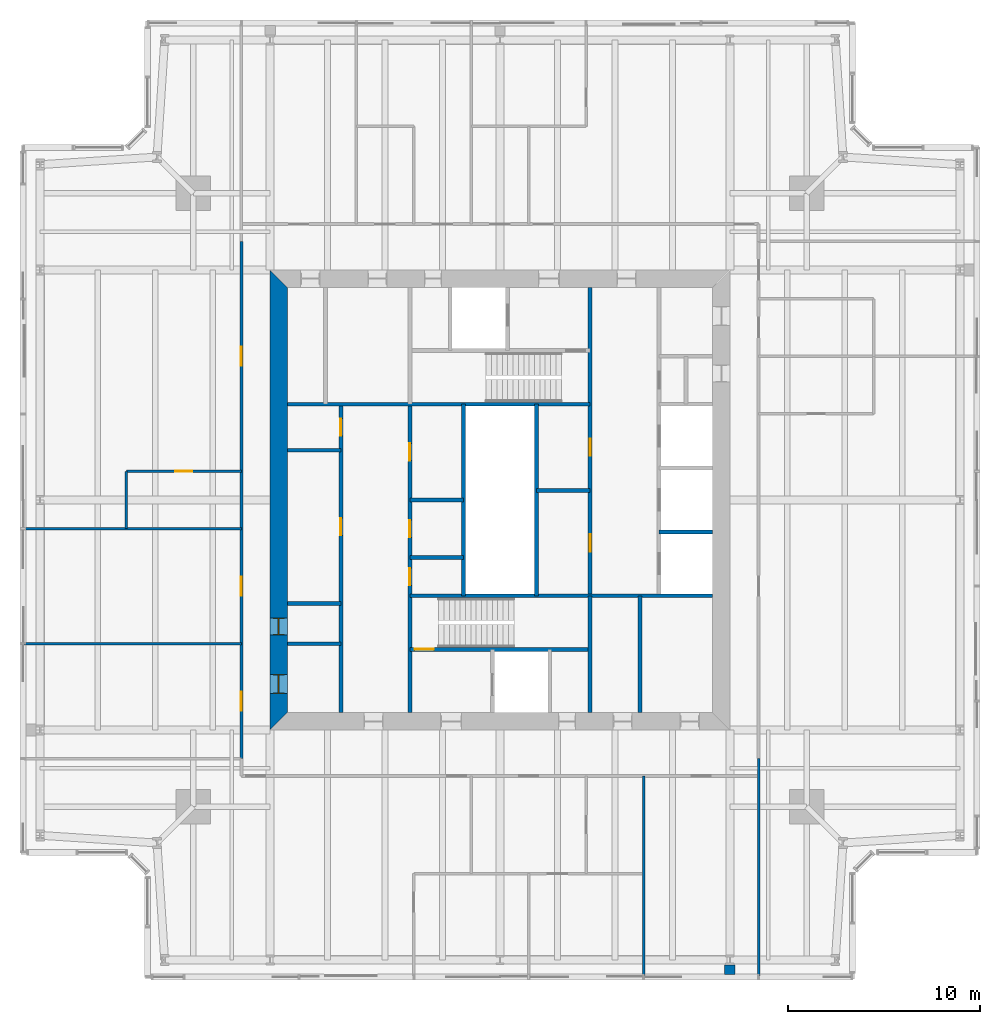
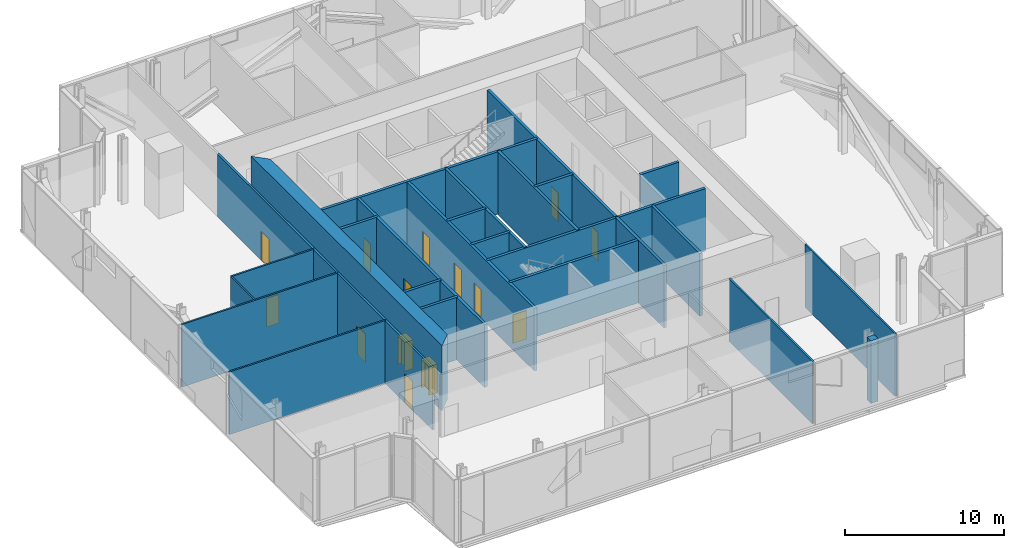
# One storey, part 8 of 15: 26 walls, 14 doors, 14 openings.
"""IFC4 building model written with IfcOpenShell, lengths in metres."""

from ifc_helpers import new_model, si_unit, direction, frame, frame_2d, origin, place, context, subcontext, project, spatial, polyline, rectangle, outline, extrude, material, layer, layer_set, type_object, element, fill, save


model = new_model("IFC4")

# Units and contexts
model_context = context("Model", 3, precision=1e-05, world=origin(), true_north=direction((0.0, 1.0)))
body_context = subcontext(model_context, "Body", "Model", "MODEL_VIEW")
ifc_project = project(units=[si_unit("LENGTHUNIT", "METRE"), si_unit("AREAUNIT", "SQUARE_METRE"), si_unit("VOLUMEUNIT", "CUBIC_METRE"), si_unit("PLANEANGLEUNIT", "RADIAN"), si_unit("MASSUNIT", "GRAM", prefix="KILO")], contexts=[model_context])

# Site, building, storey
site_placement = place(None, origin())
site = spatial("IfcSite", under=ifc_project, at=site_placement, CompositionType="ELEMENT")
building_placement = place(site_placement, origin())
building = spatial("IfcBuilding", under=site, at=building_placement, Name="Fenwick Lantern Interchange", CompositionType="ELEMENT")
storey_placement = place(building_placement, frame((0.0, 0.0, 296.800048828125)))
storey = spatial("IfcBuildingStorey", under=building, at=storey_placement, Name="L72", CompositionType="ELEMENT", Elevation=296.800048828125)

# Wall
ifc_material_1 = material(Name="Fire-rated gypsum board encasement on steel studs, 2 hour", Category="steel")
ifc_layer_1 = layer(ifc_material_1, 0.5419921875)
ifc_layer_set_1 = layer_set([ifc_layer_1], Name="COLUMN PIER 542")
wall_type_1 = type_object("IfcWallType", Name="COLUMN PIER 542", PredefinedType="PARTITIONING", material=ifc_layer_set_1)
wall_1_placement = place(storey_placement, frame((37.0, 0.25, 0.0), z_axis=(0.0, 0.0, 1.0), x_axis=(0.0, 1.0, 0.0)))
element("IfcWall", 1, at=wall_1_placement, inside=storey, type_object=wall_type_1, Name="L72/W/PIER/CS4", PredefinedType="PARTITIONING", context=body_context, shape_type="SweptSolid", body=[
    extrude(rectangle(XDim=0.484619140625, YDim=0.5419921875, at=frame_2d((0.2421875, 0.0))), origin(), (0.0, 0.0, 1.0), 4.800048828125),
])

# Wall, openings, doors
ifc_material_2 = material(Name="Concrete masonry ASTM C90 Grade N", Category="masonry")
ifc_layer_2 = layer(ifc_material_2, 0.199951171875)
ifc_layer_set_2 = layer_set([ifc_layer_2], Name="Concrete masonry ASTM C90 Grade N")
wall_type_2 = type_object("IfcWallType", Name="CORE PARTITION 200", PredefinedType="PARTITIONING", material=ifc_layer_set_2)
wall_2_placement = place(storey_placement, frame((16.699951171875, 13.89990234375, 0.0), z_axis=(0.0, 0.0, 1.0), x_axis=(0.0, 1.0, 0.0)))
wall_2 = element("IfcWall", 2, at=wall_2_placement, inside=storey, type_object=wall_type_2, Name="L72/W/CORES/a", PredefinedType="PARTITIONING", context=body_context, shape_type="SweptSolid", body=[
    extrude(rectangle(XDim=16.10009765625, YDim=0.199951171875, at=frame_2d((8.050048828125, 0.0))), origin(), (0.0, 0.0, 1.0), 4.800048828125),
])
opening_1_placement = place(wall_2_placement, frame((9.25, 0.0, 0.0)))
opening_1 = element("IfcOpeningElement", 3, at=opening_1_placement, cuts=wall_2, Name="Opening L72-D009", PredefinedType="OPENING", context=body_context, shape_type="SweptSolid", body=[
    extrude(rectangle(XDim=0.89990234375, YDim=2.199951171875, at=frame_2d((0.449951171875, 1.10009765625))), frame((0.0, 0.10986328125, 0.0), z_axis=(0.0, -1.0, 0.0), x_axis=(1.0, 0.0, 0.0)), (0.0, 0.0, 1.0), 0.219970703125),
])
opening_2_placement = place(wall_2_placement, frame((14.449951171875, 0.0, 0.0)))
opening_2 = element("IfcOpeningElement", 4, at=opening_2_placement, cuts=wall_2, Name="Opening L72-D010", PredefinedType="OPENING", context=body_context, shape_type="SweptSolid", body=[
    extrude(rectangle(XDim=0.89990234375, YDim=2.199951171875, at=frame_2d((0.449951171875, 1.10009765625))), frame((0.0, 0.10986328125, 0.0), z_axis=(0.0, -1.0, 0.0), x_axis=(1.0, 0.0, 0.0)), (0.0, 0.0, 1.0), 0.219970703125),
])
ifc_material_3 = material(Name="Steel door and frame", Category="steel")
door_type_1 = type_object("IfcDoorType", Name="SERVICE DOOR 900 X 2200", OperationType="SINGLE_SWING_LEFT", PredefinedType="DOOR", material=ifc_material_3)
door_1_placement = place(opening_1_placement, origin())
door_1 = element("IfcDoor", 5, at=door_1_placement, inside=storey, type_object=door_type_1, Name="Service door", OperationType="SINGLE_SWING_LEFT", OverallHeight=2.199951171875, OverallWidth=0.89990234375, PredefinedType="DOOR", context=body_context, shape_type="SweptSolid", body=[
    extrude(rectangle(XDim=0.89990234375, YDim=2.199951171875, at=frame_2d((0.449951171875, 1.10009765625))), frame((0.0, 0.02490234375, 0.0), z_axis=(0.0, -1.0, 0.0), x_axis=(1.0, 0.0, 0.0)), (0.0, 0.0, 1.0), 0.050048828125),
])
fill(opening_1, door_1)
door_2_placement = place(opening_2_placement, origin())
door_2 = element("IfcDoor", 6, at=door_2_placement, inside=storey, type_object=door_type_1, Name="Service door", OperationType="SINGLE_SWING_LEFT", OverallHeight=2.199951171875, OverallWidth=0.89990234375, PredefinedType="DOOR", context=body_context, shape_type="SweptSolid", body=[
    extrude(rectangle(XDim=0.89990234375, YDim=2.199951171875, at=frame_2d((0.449951171875, 1.10009765625))), frame((0.0, 0.02490234375, 0.0), z_axis=(0.0, -1.0, 0.0), x_axis=(1.0, 0.0, 0.0)), (0.0, 0.0, 1.0), 0.050048828125),
])
fill(opening_2, door_2)

# Walls
wall_3_placement = place(storey_placement, frame((23.10009765625, 20.0, 0.0), z_axis=(0.0, 0.0, 1.0), x_axis=(0.0, 1.0, 0.0)))
element("IfcWall", 7, at=wall_3_placement, inside=storey, type_object=wall_type_2, Name="L72/W/CORES/e3", PredefinedType="PARTITIONING", context=body_context, shape_type="SweptSolid", body=[
    extrude(rectangle(XDim=10.0, YDim=0.199951171875, at=frame_2d((5.0, 0.0))), origin(), (0.0, 0.0, 1.0), 4.800048828125),
])
wall_4_placement = place(storey_placement, frame((32.300048828125, 13.89990234375, 0.0), z_axis=(0.0, 0.0, 1.0), x_axis=(0.0, 1.0, 0.0)))
element("IfcWall", 8, at=wall_4_placement, inside=storey, type_object=wall_type_2, Name="L72/W/CORES/i2", PredefinedType="PARTITIONING", context=body_context, shape_type="SweptSolid", body=[
    extrude(rectangle(XDim=6.10009765625, YDim=0.199951171875, at=frame_2d((3.050048828125, 0.0))), origin(), (0.0, 0.0, 1.0), 4.800048828125),
])
for number, where, z_axis, x_axis, name in (
    (9, (13.89990234375, 17.5, 0.0), (0.0, 0.0, 1.0), (1.0, 0.0, 0.0), "L72/W/CORES/p1"),
    (10, (13.89990234375, 19.60009765625, 0.0), (0.0, 0.0, 1.0), (1.0, 0.0, 0.0), "L72/W/CORES/p2"),
    (11, (13.89990234375, 27.60009765625, 0.0), (0.0, 0.0, 1.0), (1.0, 0.0, 0.0), "L72/W/CORES/p3"),
    (12, (20.300048828125, 22.0, 0.0), (0.0, 0.0, 1.0), (1.0, 0.0, 0.0), "L72/W/CORES/q1"),
    (13, (20.300048828125, 25.0, 0.0), (0.0, 0.0, 1.0), (1.0, 0.0, 0.0), "L72/W/CORES/q2"),
    (14, (36.10009765625, 23.333251953125, 0.0), (0.0, 0.0, 1.0), (-1.0, 0.0, 0.0), "L72/W/COREN/d2"),
):
    element("IfcWall", number, at=place(storey_placement, frame(where, z_axis=z_axis, x_axis=x_axis)), inside=storey, type_object=wall_type_2, Name=name, PredefinedType="PARTITIONING", context=body_context, shape_type="SweptSolid", body=[
        extrude(rectangle(XDim=2.800048828125, YDim=0.199951171875, at=frame_2d((1.39990234375, 0.0))), origin(), (0.0, 0.0, 1.0), 4.800048828125),
    ])
wall_5_placement = place(storey_placement, frame((26.89990234375, 30.0, 0.0), z_axis=(0.0, 0.0, 1.0), x_axis=(0.0, -1.0, 0.0)))
element("IfcWall", 15, at=wall_5_placement, inside=storey, type_object=wall_type_2, Name="L72/W/COREN/e3", PredefinedType="PARTITIONING", context=body_context, shape_type="SweptSolid", body=[
    extrude(rectangle(XDim=10.0, YDim=0.199951171875, at=frame_2d((5.0, 0.0))), origin(), (0.0, 0.0, 1.0), 4.800048828125),
])
wall_6_placement = place(storey_placement, frame((29.699951171875, 25.5, 0.0), z_axis=(0.0, 0.0, 1.0), x_axis=(-1.0, 0.0, 0.0)))
element("IfcWall", 16, at=wall_6_placement, inside=storey, type_object=wall_type_2, Name="L72/W/COREN/q1", PredefinedType="PARTITIONING", context=body_context, shape_type="SweptSolid", body=[
    extrude(rectangle(XDim=2.800048828125, YDim=0.199951171875, at=frame_2d((1.39990234375, 0.0))), origin(), (0.0, 0.0, 1.0), 4.800048828125),
])

# Wall, openings, doors
ifc_material_4 = material(Name="Concrete f'c 70 MPa", Category="concrete")
ifc_layer_3 = layer(ifc_material_4, 0.89990234375)
ifc_layer_set_3 = layer_set([ifc_layer_3], Name="CORE WALL 900")
wall_type_3 = type_object("IfcWallType", Name="CORE WALL 900", PredefinedType="SHEAR", material=ifc_layer_set_3)
wall_7_placement = place(storey_placement, frame((13.449951171875, 36.10009765625, 0.0), z_axis=(0.0, 0.0, 1.0), x_axis=(0.0, -1.0, 0.0)))
wall_7 = element("IfcWall", 17, at=wall_7_placement, inside=storey, type_object=wall_type_3, Name="L72/CORE/W", PredefinedType="SHEAR", context=body_context, shape_type="SweptSolid", body=[
    extrude(outline(polyline([(-0.89990234375, -0.449951171875), (23.10009765625, -0.449951171875), (22.199951171875, 0.449951171875), (0.0, 0.449951171875), (-0.89990234375, -0.449951171875)])), origin(), (0.0, 0.0, 1.0), 5.0),
])
opening_3_placement = place(wall_7_placement, frame((20.199951171875, 0.0, 0.0)))
opening_3 = element("IfcOpeningElement", 18, at=opening_3_placement, cuts=wall_7, Name="Opening L72-D007", PredefinedType="OPENING", context=body_context, shape_type="SweptSolid", body=[
    extrude(rectangle(XDim=1.0, YDim=2.199951171875, at=frame_2d((0.5, 1.10009765625))), frame((0.0, 0.4599609375, 0.0), z_axis=(0.0, -1.0, 0.0), x_axis=(1.0, 0.0, 0.0)), (0.0, 0.0, 1.0), 0.919921875),
])
opening_4_placement = place(wall_7_placement, frame((17.25, 0.0, 0.0)))
opening_4 = element("IfcOpeningElement", 19, at=opening_4_placement, cuts=wall_7, Name="Opening L72-D008", PredefinedType="OPENING", context=body_context, shape_type="SweptSolid", body=[
    extrude(rectangle(XDim=0.89990234375, YDim=2.199951171875, at=frame_2d((0.449951171875, 1.10009765625))), frame((0.0, 0.4599609375, 0.0), z_axis=(0.0, -1.0, 0.0), x_axis=(1.0, 0.0, 0.0)), (0.0, 0.0, 1.0), 0.919921875),
])
door_3_placement = place(opening_4_placement, origin())
door_3 = element("IfcDoor", 20, at=door_3_placement, inside=storey, type_object=door_type_1, Name="Service door", OperationType="SINGLE_SWING_RIGHT", OverallHeight=2.199951171875, OverallWidth=0.89990234375, PredefinedType="DOOR", context=body_context, shape_type="SweptSolid", body=[
    extrude(rectangle(XDim=0.89990234375, YDim=2.199951171875, at=frame_2d((0.449951171875, 1.10009765625))), frame((0.0, 0.02490234375, 0.0), z_axis=(0.0, -1.0, 0.0), x_axis=(1.0, 0.0, 0.0)), (0.0, 0.0, 1.0), 0.050048828125),
    extrude(outline(polyline([(0.0, 0.0), (0.0400390625, 0.0), (0.0400390625, 2.159912109375), (0.85986328125, 2.159912109375), (0.85986328125, 0.0), (0.89990234375, 0.0), (0.89990234375, 2.199951171875), (0.0, 2.199951171875), (0.0, 0.0)])), frame((0.0, 0.300048828125, 0.0), z_axis=(0.0, -1.0, 0.0), x_axis=(1.0, 0.0, 0.0)), (0.0, 0.0, 1.0), 0.60009765625),
])
fill(opening_4, door_3)
ifc_material_5 = material(Name="Hardwood door and steel frame", Category="steel")
door_type_2 = type_object("IfcDoorType", Name="WC DOOR 1000 X 2200", OperationType="SINGLE_SWING_LEFT", PredefinedType="DOOR", material=ifc_material_5)
door_4_placement = place(opening_3_placement, origin())
door_4 = element("IfcDoor", 21, at=door_4_placement, inside=storey, type_object=door_type_2, Name="Wc door", OperationType="SINGLE_SWING_RIGHT", OverallHeight=2.199951171875, OverallWidth=1.0, PredefinedType="DOOR", context=body_context, shape_type="SweptSolid", body=[
    extrude(rectangle(XDim=1.0, YDim=2.199951171875, at=frame_2d((0.5, 1.10009765625))), frame((0.0, 0.02490234375, 0.0), z_axis=(0.0, -1.0, 0.0), x_axis=(1.0, 0.0, 0.0)), (0.0, 0.0, 1.0), 0.050048828125),
    extrude(outline(polyline([(0.0, 0.0), (0.0400390625, 0.0), (0.0400390625, 2.159912109375), (0.9599609375, 2.159912109375), (0.9599609375, 0.0), (1.0, 0.0), (1.0, 2.199951171875), (0.0, 2.199951171875), (0.0, 0.0)])), frame((0.0, 0.300048828125, 0.0), z_axis=(0.0, -1.0, 0.0), x_axis=(1.0, 0.0, 0.0)), (0.0, 0.0, 1.0), 0.60009765625),
])
fill(opening_3, door_4)

ifc_material_6 = material(Name="Gypsum board on steel studs, 1 hour", Category="steel")
ifc_layer_4 = layer(ifc_material_6, 0.14990234375)
ifc_layer_set_4 = layer_set([ifc_layer_4], Name="CORRIDOR WALL 150")
wall_type_4 = type_object("IfcWallType", Name="CORRIDOR WALL 150", PredefinedType="PARTITIONING", material=ifc_layer_set_4)
wall_8_placement = place(storey_placement, frame((11.5, 38.5, 0.0), z_axis=(0.0, 0.0, 1.0), x_axis=(0.0, -1.0, 0.0)))
wall_8 = element("IfcWall", 22, at=wall_8_placement, inside=storey, type_object=wall_type_4, Name="L72/W/OFF/W/CW", PredefinedType="PARTITIONING", context=body_context, shape_type="SweptSolid", body=[
    extrude(rectangle(XDim=27.0, YDim=0.14990234375, at=frame_2d((13.5, 0.0))), origin(), (0.0, 0.0, 1.0), 4.800048828125),
])
opening_5_placement = place(wall_8_placement, frame((5.5, 0.0, 0.0)))
opening_5 = element("IfcOpeningElement", 23, at=opening_5_placement, cuts=wall_8, Name="Opening L72-D043", PredefinedType="OPENING", context=body_context, shape_type="SweptSolid", body=[
    extrude(rectangle(XDim=1.0, YDim=2.199951171875, at=frame_2d((0.5, 1.10009765625))), frame((0.0, 0.0849609375, 0.0), z_axis=(0.0, -1.0, 0.0), x_axis=(1.0, 0.0, 0.0)), (0.0, 0.0, 1.0), 0.169921875),
])
opening_6_placement = place(wall_8_placement, frame((17.5, 0.0, 0.0)))
opening_6 = element("IfcOpeningElement", 24, at=opening_6_placement, cuts=wall_8, Name="Opening L72-D045", PredefinedType="OPENING", context=body_context, shape_type="SweptSolid", body=[
    extrude(rectangle(XDim=1.0, YDim=2.199951171875, at=frame_2d((0.5, 1.10009765625))), frame((0.0, 0.0849609375, 0.0), z_axis=(0.0, -1.0, 0.0), x_axis=(1.0, 0.0, 0.0)), (0.0, 0.0, 1.0), 0.169921875),
])
opening_7_placement = place(wall_8_placement, frame((23.5, 0.0, 0.0)))
opening_7 = element("IfcOpeningElement", 25, at=opening_7_placement, cuts=wall_8, Name="Opening L72-D046", PredefinedType="OPENING", context=body_context, shape_type="SweptSolid", body=[
    extrude(rectangle(XDim=1.0, YDim=2.199951171875, at=frame_2d((0.5, 1.10009765625))), frame((0.0, 0.0849609375, 0.0), z_axis=(0.0, -1.0, 0.0), x_axis=(1.0, 0.0, 0.0)), (0.0, 0.0, 1.0), 0.169921875),
])
door_type_3 = type_object("IfcDoorType", Name="SUITE ENTRANCE DOOR 1000 X 2200", OperationType="SINGLE_SWING_LEFT", PredefinedType="DOOR", material=ifc_material_3)
door_5_placement = place(opening_5_placement, frame((1.0, 0.0, 0.0), z_axis=(0.0, 0.0, 1.0), x_axis=(-1.0, 0.0, 0.0)))
door_5 = element("IfcDoor", 26, at=door_5_placement, inside=storey, type_object=door_type_3, Name="Suite entrance door", OperationType="SINGLE_SWING_LEFT", OverallHeight=2.199951171875, OverallWidth=1.0, PredefinedType="DOOR", context=body_context, shape_type="SweptSolid", body=[
    extrude(rectangle(XDim=1.0, YDim=2.199951171875, at=frame_2d((0.5, 1.10009765625))), frame((0.0, 0.02490234375, 0.0), z_axis=(0.0, -1.0, 0.0), x_axis=(1.0, 0.0, 0.0)), (0.0, 0.0, 1.0), 0.050048828125),
])
fill(opening_5, door_5)
door_6_placement = place(opening_6_placement, frame((1.0, 0.0, 0.0), z_axis=(0.0, 0.0, 1.0), x_axis=(-1.0, 0.0, 0.0)))
door_6 = element("IfcDoor", 27, at=door_6_placement, inside=storey, type_object=door_type_3, Name="Suite entrance door", OperationType="SINGLE_SWING_RIGHT", OverallHeight=2.199951171875, OverallWidth=1.0, PredefinedType="DOOR", context=body_context, shape_type="SweptSolid", body=[
    extrude(rectangle(XDim=1.0, YDim=2.199951171875, at=frame_2d((0.5, 1.10009765625))), frame((0.0, 0.02490234375, 0.0), z_axis=(0.0, -1.0, 0.0), x_axis=(1.0, 0.0, 0.0)), (0.0, 0.0, 1.0), 0.050048828125),
])
fill(opening_6, door_6)
door_7_placement = place(opening_7_placement, frame((1.0, 0.0, 0.0), z_axis=(0.0, 0.0, 1.0), x_axis=(-1.0, 0.0, 0.0)))
door_7 = element("IfcDoor", 28, at=door_7_placement, inside=storey, type_object=door_type_3, Name="Suite entrance door", OperationType="SINGLE_SWING_RIGHT", OverallHeight=2.199951171875, OverallWidth=1.0, PredefinedType="DOOR", context=body_context, shape_type="SweptSolid", body=[
    extrude(rectangle(XDim=1.0, YDim=2.199951171875, at=frame_2d((0.5, 1.10009765625))), frame((0.0, 0.02490234375, 0.0), z_axis=(0.0, -1.0, 0.0), x_axis=(1.0, 0.0, 0.0)), (0.0, 0.0, 1.0), 0.050048828125),
])
fill(opening_7, door_7)

# Walls
ifc_material_7 = material(Name="Gypsum board on steel studs, acoustic", Category="steel")
ifc_layer_5 = layer(ifc_material_7, 0.125)
ifc_layer_set_5 = layer_set([ifc_layer_5], Name="OFFICE PARTITION 125")
wall_type_5 = type_object("IfcWallType", Name="OFFICE PARTITION 125", PredefinedType="PARTITIONING", material=ifc_layer_set_5)
wall_9_placement = place(storey_placement, frame((32.5, 0.14990234375, 0.0), z_axis=(0.0, 0.0, 1.0), x_axis=(0.0, 1.0, 0.0)))
element("IfcWall", 29, at=wall_9_placement, inside=storey, type_object=wall_type_5, Name="L72/W/OFF/S/X325-1", PredefinedType="PARTITIONING", context=body_context, shape_type="SweptSolid", body=[
    extrude(rectangle(XDim=10.4501953125, YDim=0.125, at=frame_2d((5.22509765625, 0.0))), origin(), (0.0, 0.0, 1.0), 4.800048828125),
])
wall_10_placement = place(storey_placement, frame((38.5, 0.14990234375, 0.0), z_axis=(0.0, 0.0, 1.0), x_axis=(0.0, 1.0, 0.0)))
element("IfcWall", 30, at=wall_10_placement, inside=storey, type_object=wall_type_5, Name="L72/W/OFF/E/BACK", PredefinedType="PARTITIONING", context=body_context, shape_type="SweptSolid", body=[
    extrude(rectangle(XDim=11.35009765625, YDim=0.125, at=frame_2d((5.675048828125, 0.0))), origin(), (0.0, 0.0, 1.0), 4.800048828125),
])

# Wall, opening, door
wall_11_placement = place(storey_placement, frame((5.5, 26.5, 0.0), z_axis=(0.0, 0.0, 1.0), x_axis=(1.0, 0.0, 0.0)))
wall_11 = element("IfcWall", 31, at=wall_11_placement, inside=storey, type_object=wall_type_5, Name="L72/W/OFF/W/X235-1", PredefinedType="PARTITIONING", context=body_context, shape_type="SweptSolid", body=[
    extrude(rectangle(XDim=6.0, YDim=0.125, at=frame_2d((3.0, 0.0))), origin(), (0.0, 0.0, 1.0), 4.800048828125),
])
opening_8_placement = place(wall_11_placement, frame((2.550048828125, 0.0, 0.0)))
opening_8 = element("IfcOpeningElement", 32, at=opening_8_placement, cuts=wall_11, Name="Opening L72-D044", PredefinedType="OPENING", context=body_context, shape_type="SweptSolid", body=[
    extrude(rectangle(XDim=0.89990234375, YDim=2.199951171875, at=frame_2d((0.449951171875, 1.10009765625))), frame((0.0, 0.072509765625, 0.0), z_axis=(0.0, -1.0, 0.0), x_axis=(1.0, 0.0, 0.0)), (0.0, 0.0, 1.0), 0.14501953125),
])
door_type_4 = type_object("IfcDoorType", Name="OFFICE DOOR 900 X 2200", OperationType="SINGLE_SWING_LEFT", PredefinedType="DOOR", material=ifc_material_5)
door_8_placement = place(opening_8_placement, frame((0.89990234375, 0.0, 0.0), z_axis=(0.0, 0.0, 1.0), x_axis=(-1.0, 0.0, 0.0)))
door_8 = element("IfcDoor", 33, at=door_8_placement, inside=storey, type_object=door_type_4, Name="Office door", OperationType="SINGLE_SWING_RIGHT", OverallHeight=2.199951171875, OverallWidth=0.89990234375, PredefinedType="DOOR", context=body_context, shape_type="SweptSolid", body=[
    extrude(rectangle(XDim=0.89990234375, YDim=2.199951171875, at=frame_2d((0.449951171875, 1.10009765625))), frame((0.0, 0.02490234375, 0.0), z_axis=(0.0, -1.0, 0.0), x_axis=(1.0, 0.0, 0.0)), (0.0, 0.0, 1.0), 0.050048828125),
])
fill(opening_8, door_8)

# Walls
for number, where, z_axis, x_axis, name in (
    (34, (0.14990234375, 23.5, 0.0), (0.0, 0.0, 1.0), (1.0, 0.0, 0.0), "L72/W/OFF/W/X265-1"),
    (35, (0.14990234375, 17.5, 0.0), (0.0, 0.0, 1.0), (1.0, 0.0, 0.0), "L72/W/OFF/W/X325-1"),
):
    element("IfcWall", number, at=place(storey_placement, frame(where, z_axis=z_axis, x_axis=x_axis)), inside=storey, type_object=wall_type_5, Name=name, PredefinedType="PARTITIONING", context=body_context, shape_type="SweptSolid", body=[
        extrude(rectangle(XDim=11.35009765625, YDim=0.125, at=frame_2d((5.675048828125, 0.0))), origin(), (0.0, 0.0, 1.0), 4.800048828125),
    ])
wall_12_placement = place(storey_placement, frame((5.5, 26.5, 0.0), z_axis=(0.0, 0.0, 1.0), x_axis=(0.0, -1.0, 0.0)))
element("IfcWall", 36, at=wall_12_placement, inside=storey, type_object=wall_type_5, Name="L72/W/OFF/W/Y55-1", PredefinedType="PARTITIONING", context=body_context, shape_type="SweptSolid", body=[
    extrude(rectangle(XDim=3.0, YDim=0.125, at=frame_2d((1.5, 0.0))), origin(), (0.0, 0.0, 1.0), 4.800048828125),
])

# Wall, openings, doors
ifc_material_8 = material(Name="Concrete f'c 45 MPa", Category="concrete")
ifc_layer_6 = layer(ifc_material_8, 0.199951171875)
ifc_layer_set_6 = layer_set([ifc_layer_6], Name="STAIR CORE WALL 200")
wall_type_6 = type_object("IfcWallType", Name="STAIR CORE WALL 200", PredefinedType="SOLIDWALL", material=ifc_layer_set_6)
wall_13_placement = place(storey_placement, frame((20.300048828125, 13.89990234375, 0.0), z_axis=(0.0, 0.0, 1.0), x_axis=(0.0, 1.0, 0.0)))
wall_13 = element("IfcWall", 37, at=wall_13_placement, inside=storey, type_object=wall_type_6, Name="L72/W/CORES/b", PredefinedType="SOLIDWALL", context=body_context, shape_type="SweptSolid", body=[
    extrude(rectangle(XDim=16.10009765625, YDim=0.199951171875, at=frame_2d((8.050048828125, 0.0))), origin(), (0.0, 0.0, 1.0), 4.800048828125),
])
opening_9_placement = place(wall_13_placement, frame((6.64990234375, 0.0, 0.0)))
opening_9 = element("IfcOpeningElement", 38, at=opening_9_placement, cuts=wall_13, Name="Opening L72-D011", PredefinedType="OPENING", context=body_context, shape_type="SweptSolid", body=[
    extrude(rectangle(XDim=0.89990234375, YDim=2.199951171875, at=frame_2d((0.449951171875, 1.10009765625))), frame((0.0, 0.10986328125, 0.0), z_axis=(0.0, -1.0, 0.0), x_axis=(1.0, 0.0, 0.0)), (0.0, 0.0, 1.0), 0.219970703125),
])
opening_10_placement = place(wall_13_placement, frame((9.14990234375, 0.0, 0.0)))
opening_10 = element("IfcOpeningElement", 39, at=opening_10_placement, cuts=wall_13, Name="Opening L72-D012", PredefinedType="OPENING", context=body_context, shape_type="SweptSolid", body=[
    extrude(rectangle(XDim=0.89990234375, YDim=2.199951171875, at=frame_2d((0.449951171875, 1.10009765625))), frame((0.0, 0.10986328125, 0.0), z_axis=(0.0, -1.0, 0.0), x_axis=(1.0, 0.0, 0.0)), (0.0, 0.0, 1.0), 0.219970703125),
])
opening_11_placement = place(wall_13_placement, frame((13.14990234375, 0.0, 0.0)))
opening_11 = element("IfcOpeningElement", 40, at=opening_11_placement, cuts=wall_13, Name="Opening L72-D013", PredefinedType="OPENING", context=body_context, shape_type="SweptSolid", body=[
    extrude(rectangle(XDim=0.89990234375, YDim=2.199951171875, at=frame_2d((0.449951171875, 1.10009765625))), frame((0.0, 0.10986328125, 0.0), z_axis=(0.0, -1.0, 0.0), x_axis=(1.0, 0.0, 0.0)), (0.0, 0.0, 1.0), 0.219970703125),
])
door_9_placement = place(opening_9_placement, frame((0.89990234375, 0.0, 0.0), z_axis=(0.0, 0.0, 1.0), x_axis=(-1.0, 0.0, 0.0)))
door_9 = element("IfcDoor", 41, at=door_9_placement, inside=storey, type_object=door_type_1, Name="Service door", OperationType="SINGLE_SWING_RIGHT", OverallHeight=2.199951171875, OverallWidth=0.89990234375, PredefinedType="DOOR", context=body_context, shape_type="SweptSolid", body=[
    extrude(rectangle(XDim=0.89990234375, YDim=2.199951171875, at=frame_2d((0.449951171875, 1.10009765625))), frame((0.0, 0.02490234375, 0.0), z_axis=(0.0, -1.0, 0.0), x_axis=(1.0, 0.0, 0.0)), (0.0, 0.0, 1.0), 0.050048828125),
])
fill(opening_9, door_9)
door_10_placement = place(opening_10_placement, frame((0.89990234375, 0.0, 0.0), z_axis=(0.0, 0.0, 1.0), x_axis=(-1.0, 0.0, 0.0)))
door_10 = element("IfcDoor", 42, at=door_10_placement, inside=storey, type_object=door_type_1, Name="Service door", OperationType="SINGLE_SWING_RIGHT", OverallHeight=2.199951171875, OverallWidth=0.89990234375, PredefinedType="DOOR", context=body_context, shape_type="SweptSolid", body=[
    extrude(rectangle(XDim=0.89990234375, YDim=2.199951171875, at=frame_2d((0.449951171875, 1.10009765625))), frame((0.0, 0.02490234375, 0.0), z_axis=(0.0, -1.0, 0.0), x_axis=(1.0, 0.0, 0.0)), (0.0, 0.0, 1.0), 0.050048828125),
])
fill(opening_10, door_10)
door_11_placement = place(opening_11_placement, frame((0.89990234375, 0.0, 0.0), z_axis=(0.0, 0.0, 1.0), x_axis=(-1.0, 0.0, 0.0)))
door_11 = element("IfcDoor", 43, at=door_11_placement, inside=storey, type_object=door_type_1, Name="Service door", OperationType="SINGLE_SWING_RIGHT", OverallHeight=2.199951171875, OverallWidth=0.89990234375, PredefinedType="DOOR", context=body_context, shape_type="SweptSolid", body=[
    extrude(rectangle(XDim=0.89990234375, YDim=2.199951171875, at=frame_2d((0.449951171875, 1.10009765625))), frame((0.0, 0.02490234375, 0.0), z_axis=(0.0, -1.0, 0.0), x_axis=(1.0, 0.0, 0.0)), (0.0, 0.0, 1.0), 0.050048828125),
])
fill(opening_11, door_11)

# Wall, opening, door
wall_14_placement = place(storey_placement, frame((20.300048828125, 17.199951171875, 0.0), z_axis=(0.0, 0.0, 1.0), x_axis=(1.0, 0.0, 0.0)))
wall_14 = element("IfcWall", 44, at=wall_14_placement, inside=storey, type_object=wall_type_6, Name="L72/W/CORES/g1", PredefinedType="SOLIDWALL", context=body_context, shape_type="SweptSolid", body=[
    extrude(rectangle(XDim=9.39990234375, YDim=0.199951171875, at=frame_2d((4.699951171875, 0.0))), origin(), (0.0, 0.0, 1.0), 4.800048828125),
])
opening_12_placement = place(wall_14_placement, frame((0.25, 0.0, 0.0)))
opening_12 = element("IfcOpeningElement", 45, at=opening_12_placement, cuts=wall_14, Name="Opening L72-D003", PredefinedType="OPENING", context=body_context, shape_type="SweptSolid", body=[
    extrude(rectangle(XDim=1.0, YDim=2.199951171875, at=frame_2d((0.5, 1.10009765625))), frame((0.0, 0.10986328125, 0.0), z_axis=(0.0, -1.0, 0.0), x_axis=(1.0, 0.0, 0.0)), (0.0, 0.0, 1.0), 0.219970703125),
])
door_type_5 = type_object("IfcDoorType", Name="STAIR DOOR 1000 X 2200", OperationType="SINGLE_SWING_LEFT", PredefinedType="DOOR", material=ifc_material_3)
door_12_placement = place(opening_12_placement, origin())
door_12 = element("IfcDoor", 46, at=door_12_placement, inside=storey, type_object=door_type_5, Name="Stair door", OperationType="SINGLE_SWING_LEFT", OverallHeight=2.199951171875, OverallWidth=1.0, PredefinedType="DOOR", context=body_context, shape_type="SweptSolid", body=[
    extrude(rectangle(XDim=1.0, YDim=2.199951171875, at=frame_2d((0.5, 1.10009765625))), frame((0.0, 0.02490234375, 0.0), z_axis=(0.0, -1.0, 0.0), x_axis=(1.0, 0.0, 0.0)), (0.0, 0.0, 1.0), 0.050048828125),
])
fill(opening_12, door_12)

# Walls
wall_15_placement = place(storey_placement, frame((20.300048828125, 20.0, 0.0), z_axis=(0.0, 0.0, 1.0), x_axis=(1.0, 0.0, 0.0)))
element("IfcWall", 47, at=wall_15_placement, inside=storey, type_object=wall_type_6, Name="L72/W/CORES/g2", PredefinedType="SOLIDWALL", context=body_context, shape_type="SweptSolid", body=[
    extrude(rectangle(XDim=15.800048828125, YDim=0.199951171875, at=frame_2d((7.89990234375, 0.0))), origin(), (0.0, 0.0, 1.0), 4.800048828125),
])
wall_16_placement = place(storey_placement, frame((29.699951171875, 13.89990234375, 0.0), z_axis=(0.0, 0.0, 1.0), x_axis=(0.0, 1.0, 0.0)))
element("IfcWall", 48, at=wall_16_placement, inside=storey, type_object=wall_type_6, Name="L72/W/CORES/i1", PredefinedType="SOLIDWALL", context=body_context, shape_type="SweptSolid", body=[
    extrude(rectangle(XDim=6.10009765625, YDim=0.199951171875, at=frame_2d((3.050048828125, 0.0))), origin(), (0.0, 0.0, 1.0), 4.800048828125),
])

# Wall, openings, doors
wall_17_placement = place(storey_placement, frame((29.699951171875, 36.10009765625, 0.0), z_axis=(0.0, 0.0, 1.0), x_axis=(0.0, -1.0, 0.0)))
wall_17 = element("IfcWall", 49, at=wall_17_placement, inside=storey, type_object=wall_type_6, Name="L72/W/COREN/b", PredefinedType="SOLIDWALL", context=body_context, shape_type="SweptSolid", body=[
    extrude(rectangle(XDim=16.10009765625, YDim=0.199951171875, at=frame_2d((8.050048828125, 0.0))), origin(), (0.0, 0.0, 1.0), 4.800048828125),
])
opening_13_placement = place(wall_17_placement, frame((7.89990234375, 0.0, 0.0)))
opening_13 = element("IfcOpeningElement", 50, at=opening_13_placement, cuts=wall_17, Name="Opening L72-D023", PredefinedType="OPENING", context=body_context, shape_type="SweptSolid", body=[
    extrude(rectangle(XDim=0.89990234375, YDim=2.199951171875, at=frame_2d((0.449951171875, 1.10009765625))), frame((0.0, 0.10986328125, 0.0), z_axis=(0.0, -1.0, 0.0), x_axis=(1.0, 0.0, 0.0)), (0.0, 0.0, 1.0), 0.219970703125),
])
opening_14_placement = place(wall_17_placement, frame((12.89990234375, 0.0, 0.0)))
opening_14 = element("IfcOpeningElement", 51, at=opening_14_placement, cuts=wall_17, Name="Opening L72-D024", PredefinedType="OPENING", context=body_context, shape_type="SweptSolid", body=[
    extrude(rectangle(XDim=0.89990234375, YDim=2.199951171875, at=frame_2d((0.449951171875, 1.10009765625))), frame((0.0, 0.10986328125, 0.0), z_axis=(0.0, -1.0, 0.0), x_axis=(1.0, 0.0, 0.0)), (0.0, 0.0, 1.0), 0.219970703125),
])
door_13_placement = place(opening_13_placement, frame((0.89990234375, 0.0, 0.0), z_axis=(0.0, 0.0, 1.0), x_axis=(-1.0, 0.0, 0.0)))
door_13 = element("IfcDoor", 52, at=door_13_placement, inside=storey, type_object=door_type_1, Name="Service door", OperationType="SINGLE_SWING_RIGHT", OverallHeight=2.199951171875, OverallWidth=0.89990234375, PredefinedType="DOOR", context=body_context, shape_type="SweptSolid", body=[
    extrude(rectangle(XDim=0.89990234375, YDim=2.199951171875, at=frame_2d((0.449951171875, 1.10009765625))), frame((0.0, 0.02490234375, 0.0), z_axis=(0.0, -1.0, 0.0), x_axis=(1.0, 0.0, 0.0)), (0.0, 0.0, 1.0), 0.050048828125),
])
fill(opening_13, door_13)
door_14_placement = place(opening_14_placement, frame((0.89990234375, 0.0, 0.0), z_axis=(0.0, 0.0, 1.0), x_axis=(-1.0, 0.0, 0.0)))
door_14 = element("IfcDoor", 53, at=door_14_placement, inside=storey, type_object=door_type_1, Name="Service door", OperationType="SINGLE_SWING_RIGHT", OverallHeight=2.199951171875, OverallWidth=0.89990234375, PredefinedType="DOOR", context=body_context, shape_type="SweptSolid", body=[
    extrude(rectangle(XDim=0.89990234375, YDim=2.199951171875, at=frame_2d((0.449951171875, 1.10009765625))), frame((0.0, 0.02490234375, 0.0), z_axis=(0.0, -1.0, 0.0), x_axis=(1.0, 0.0, 0.0)), (0.0, 0.0, 1.0), 0.050048828125),
])
fill(opening_14, door_14)

# Wall
wall_18_placement = place(storey_placement, frame((29.699951171875, 30.0, 0.0), z_axis=(0.0, 0.0, 1.0), x_axis=(-1.0, 0.0, 0.0)))
element("IfcWall", 54, at=wall_18_placement, inside=storey, type_object=wall_type_6, Name="L72/W/COREN/g2", PredefinedType="SOLIDWALL", context=body_context, shape_type="SweptSolid", body=[
    extrude(rectangle(XDim=15.800048828125, YDim=0.199951171875, at=frame_2d((7.89990234375, 0.0))), origin(), (0.0, 0.0, 1.0), 4.800048828125),
])

save(model, "model.ifc")
